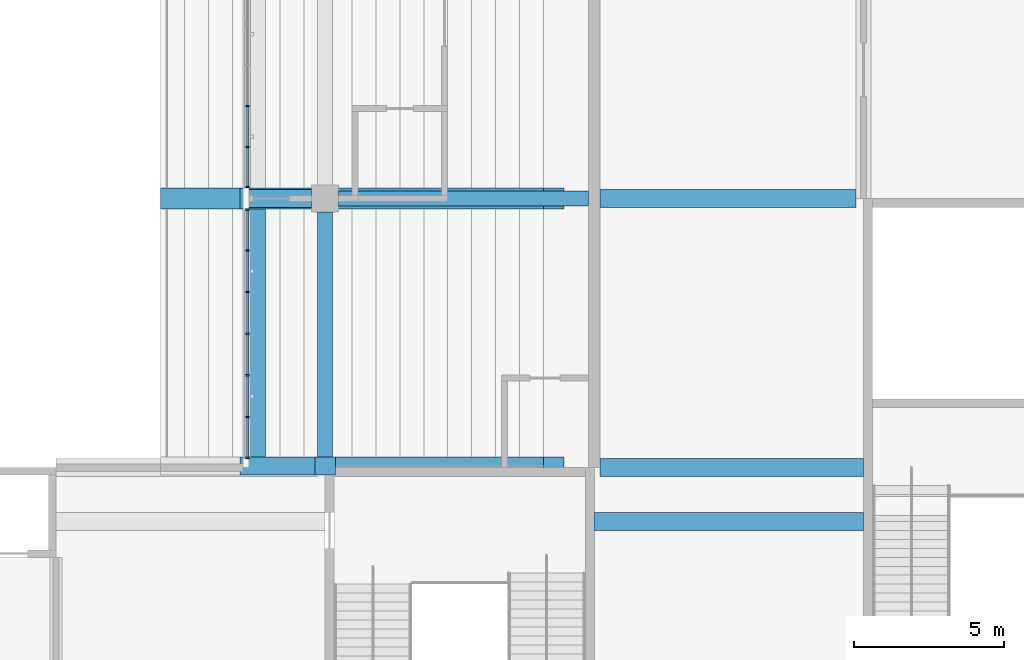
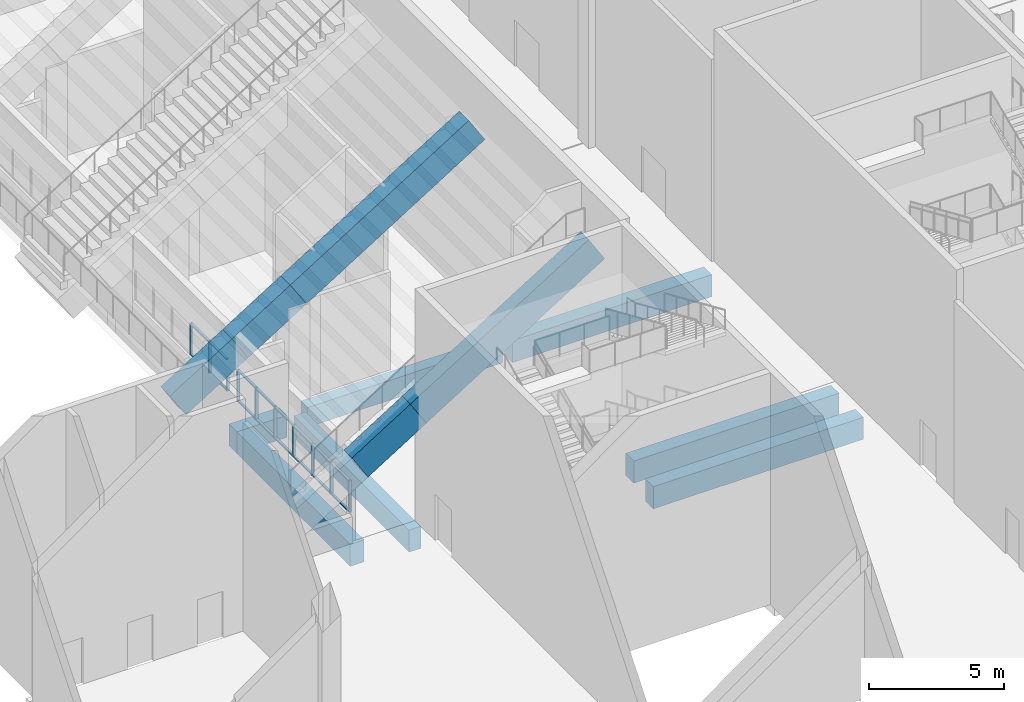
# One storey, part 47 of 182: 26 members, 12 beams, 2 elements without a shape of their own.
"""IFC4 building model written with IfcOpenShell, lengths in metres."""

import ifcopenshell
import ifcopenshell.guid

model = None  # the IFC model being written
_history = None  # IfcOwnerHistory: only IFC2X3 demands one
_inside = {}  # id of a spatial element -> (the spatial element, [elements in it])
_under = {}  # id of a project, library or spatial element -> (it, [spatial elements below it])
_declared = {}  # id of a project -> (the project, [libraries it declares])
_typed = {}  # id of a type object -> (the type object, [elements of that type])
_made_of = {}  # id of a material, layer set ... -> (it, [elements and type objects made of it])


def new_model(schema):
    """Start an empty IFC model of exactly this schema.

    Asked for "IFC4X3", IfcOpenShell would pick the latest addendum, in which some entities
    have other attributes; the version numbers below select the first issue.
    IFC2X3 requires an IfcOwnerHistory on every rooted entity: one is made here for all.
    """
    global model, _history
    if schema == "IFC4X3":
        model = ifcopenshell.file(schema_version=(4, 3, 0, 0))
    else:
        model = ifcopenshell.file(schema=schema)
    _inside.clear()
    _under.clear()
    _declared.clear()
    _typed.clear()
    _made_of.clear()
    _history = None
    if model.schema == "IFC2X3":
        org = make("IfcOrganization", Name="unknown")
        user = make(
            "IfcPersonAndOrganization",
            ThePerson=make("IfcPerson", FamilyName="unknown"),
            TheOrganization=org,
        )
        app = make(
            "IfcApplication",
            ApplicationDeveloper=org,
            Version="unknown",
            ApplicationFullName="unknown",
            ApplicationIdentifier="unknown",
        )
        _history = make(
            "IfcOwnerHistory",
            OwningUser=user,
            OwningApplication=app,
            ChangeAction="ADDED",
            CreationDate=0,
        )
    return model


def make(cls, **values):
    """One entity of the class cls with the attributes given. An attribute that is None is left unset."""
    return model.create_entity(
        cls, **{name: value for name, value in values.items() if value is not None}
    )


def rooted(cls, **values):
    """An entity with a GlobalId (a new one), such as an element, a storey or a relation."""
    return make(cls, GlobalId=ifcopenshell.guid.new(), OwnerHistory=_history, **values)


def si_unit(unit_type, name, prefix=None):
    """IfcSIUnit, for example si_unit("LENGTHUNIT", "METRE", prefix="MILLI")."""
    return make("IfcSIUnit", UnitType=unit_type, Prefix=prefix, Name=name)


def assignment(units):
    """IfcUnitAssignment: the units of a project."""
    return None if units is None else make("IfcUnitAssignment", Units=units)


def point(xyz):
    """IfcCartesianPoint."""
    return None if xyz is None else make("IfcCartesianPoint", Coordinates=xyz)


def direction(xyz):
    """IfcDirection."""
    return None if xyz is None else make("IfcDirection", DirectionRatios=xyz)


def frame(location, z_axis=None, x_axis=None):
    """IfcAxis2Placement3D, a coordinate frame: its origin and axes. An axis left out is left unset."""
    return make(
        "IfcAxis2Placement3D",
        Location=point(location),
        Axis=direction(z_axis),
        RefDirection=direction(x_axis),
    )


def frame_2d(location, x_axis=None):
    """IfcAxis2Placement2D, a coordinate frame in the plane: its origin and x axis."""
    return make(
        "IfcAxis2Placement2D", Location=point(location), RefDirection=direction(x_axis)
    )


def origin():
    """The frame at (0, 0, 0) with its axes left unset."""
    return frame((0.0, 0.0, 0.0))


def origin_2d():
    """The frame at (0, 0) in the plane with its x axis left unset."""
    return frame_2d((0.0, 0.0))


def place(relative_to, where):
    """IfcLocalPlacement: puts the frame where relative to a parent placement (None: the world)."""
    return make(
        "IfcLocalPlacement", PlacementRelTo=relative_to, RelativePlacement=where
    )


def context(
    kind, dimensions, precision=None, world=None, true_north=None, identifier=None
):
    """IfcGeometricRepresentationContext, for example the 3D "Model" context."""
    return make(
        "IfcGeometricRepresentationContext",
        ContextIdentifier=identifier,
        ContextType=kind,
        CoordinateSpaceDimension=dimensions,
        Precision=precision,
        WorldCoordinateSystem=world,
        TrueNorth=true_north,
    )


def subcontext(parent, identifier, kind, view, scale=None):
    """IfcGeometricRepresentationSubContext, for example "Body" below "Model"."""
    return make(
        "IfcGeometricRepresentationSubContext",
        ContextIdentifier=identifier,
        ContextType=kind,
        ParentContext=parent,
        TargetScale=scale,
        TargetView=view,
    )


def project(units=None, contexts=None):
    """IfcProject with its units and contexts."""
    return rooted(
        "IfcProject",
        Name="project",
        RepresentationContexts=contexts,
        UnitsInContext=assignment(units),
    )


def spatial(cls, under=None, at=None, **own):
    """A site, building, storey or space (cls), placed at a placement, below another one or the project."""
    s = rooted(cls, ObjectPlacement=at, **own)
    if under is not None:
        _under.setdefault(under.id(), (under, []))[1].append(s)
    return s


def profile(cls, at=None, kind="AREA", **sizes):
    """A parametric profile (cls). Its sizes go by their IFC names, for example OverallWidth=200.0."""
    return make(cls, ProfileType=kind, Position=at, **sizes)


def rectangle(**sizes):
    """IfcRectangleProfileDef."""
    return profile("IfcRectangleProfileDef", **sizes)


def extrude(swept, where, along, depth):
    """IfcExtrudedAreaSolid: the profile swept, set in the frame where, extruded along a direction by depth."""
    return make(
        "IfcExtrudedAreaSolid",
        SweptArea=swept,
        Position=where,
        ExtrudedDirection=direction(along),
        Depth=depth,
    )


def shape(context_of_items, identifier, shape_type, items):
    """IfcShapeRepresentation: the items that make up one representation, for example the "Body"."""
    return make(
        "IfcShapeRepresentation",
        ContextOfItems=context_of_items,
        RepresentationIdentifier=identifier,
        RepresentationType=shape_type,
        Items=items,
    )


def material(Name=None, Category=None):
    """IfcMaterial."""
    return make("IfcMaterial", Name=Name, Category=Category)


def material_profile(
    of_material, cross_section, Name=None, Category=None, Priority=None
):
    """IfcMaterialProfile: a cross section and its material."""
    return make(
        "IfcMaterialProfile",
        Name=Name,
        Material=of_material,
        Profile=cross_section,
        Priority=Priority,
        Category=Category,
    )


def profile_set(profiles, Name=None, composite=None):
    """IfcMaterialProfileSet."""
    return make(
        "IfcMaterialProfileSet",
        Name=Name,
        MaterialProfiles=profiles,
        CompositeProfile=composite,
    )


def made_of(thing, what):
    """Note that an element or type object is made of a material, layer set ...; save() writes the relation."""
    if what is not None:
        _made_of.setdefault(what.id(), (what, []))[1].append(thing)
    return thing


def type_object(cls, material=None, **own):
    """A type object (cls), such as IfcWallType, which elements share."""
    return made_of(rooted(cls, **own), material)


def element(
    cls,
    number,
    at=None,
    inside=None,
    cuts=None,
    type_object=None,
    material=None,
    context=None,
    identifier="Body",
    shape_type=None,
    held_by="IfcProductDefinitionShape",
    body=None,
    shapes=None,
    **own,
):
    """One element of the class cls, such as IfcWall. Its Tag is "e" and its number.

    at: its placement. inside: the storey or other place that contains it. cuts: it is an
    opening in that element (IfcRelVoidsElement). A single representation is given by context,
    identifier, shape_type and body (its items); several are given by shapes. held_by: the class
    of the entity that holds the representations. save() writes the other relations.
    """
    e = rooted(cls, Tag="e%d" % number, ObjectPlacement=at, **own)
    if body is not None:
        shapes = [shape(context, identifier, shape_type, body)]
    if shapes is not None:
        e.Representation = make(held_by, Representations=shapes)
    if inside is not None:
        _inside.setdefault(inside.id(), (inside, []))[1].append(e)
    if cuts is not None:
        rooted(
            "IfcRelVoidsElement", RelatingBuildingElement=cuts, RelatedOpeningElement=e
        )
    if type_object is not None:
        _typed.setdefault(type_object.id(), (type_object, []))[1].append(e)
    return made_of(e, material)


def aggregate(whole, parts):
    """IfcRelAggregates: a whole, such as a stair, and the parts it consists of."""
    return rooted("IfcRelAggregates", RelatingObject=whole, RelatedObjects=parts)


def save(model, path):
    """Write the relations noted so far, then the file.

    IfcRelAggregates (storeys below a building ...), IfcRelContainedInSpatialStructure (elements
    in a storey), IfcRelDefinesByType, IfcRelAssociatesMaterial and IfcRelDeclares: one each for
    every whole, place, type object, material and project.
    """
    for whole, parts in _under.values():
        aggregate(whole, parts)
    for where, things in _inside.values():
        rooted(
            "IfcRelContainedInSpatialStructure",
            RelatedElements=things,
            RelatingStructure=where,
        )
    for kind, things in _typed.values():
        rooted("IfcRelDefinesByType", RelatedObjects=things, RelatingType=kind)
    for what, things in _made_of.values():
        rooted("IfcRelAssociatesMaterial", RelatedObjects=things, RelatingMaterial=what)
    for by, libraries in _declared.values():
        rooted("IfcRelDeclares", RelatingContext=by, RelatedDefinitions=libraries)
    model.write(path)


model = new_model("IFC4")

# Units and contexts
model_context = context("Model", 3, precision=1e-05, world=origin(), true_north=direction((0.0, 1.0)))
body_context = subcontext(model_context, "Body", "Model", "MODEL_VIEW")
ifc_project = project(units=[si_unit("LENGTHUNIT", "METRE"), si_unit("AREAUNIT", "SQUARE_METRE"), si_unit("VOLUMEUNIT", "CUBIC_METRE"), si_unit("PLANEANGLEUNIT", "RADIAN"), si_unit("MASSUNIT", "GRAM", prefix="KILO")], contexts=[model_context])

# Site, building, storey
site_placement = place(None, origin())
site = spatial("IfcSite", under=ifc_project, at=site_placement, CompositionType="ELEMENT")
building_placement = place(site_placement, origin())
building = spatial("IfcBuilding", under=site, at=building_placement, Name="Silverbay Arena", CompositionType="ELEMENT")
storey_placement = place(building_placement, frame((0.0, 0.0, 11.5)))
storey = spatial("IfcBuildingStorey", under=building, at=storey_placement, Name="L02", CompositionType="ELEMENT", Elevation=11.5)

# Curtain wall, members
ifc_material_1 = material(Name="Fire-resisting glass", Category="glass")
curtain_wall_type_1 = type_object("IfcCurtainWallType", Name="Fire-resisting glazed screen EI 120 8350 x 1437", PredefinedType="NOTDEFINED", material=ifc_material_1)
curtain_wall_1_placement = place(storey_placement, origin())
curtain_wall_1 = element("IfcCurtainWall", 1, at=curtain_wall_1_placement, inside=storey, type_object=curtain_wall_type_1, Name="East suite front 1", PredefinedType="NOTDEFINED")
ifc_material_2 = material(Name="Aluminium", Category="aluminium")
ifc_material_profile_1 = material_profile(ifc_material_2, rectangle(XDim=0.1201171875, YDim=0.06005859375, at=origin_2d()), Name="Mullion 60 x 120")
ifc_profile_set_1 = profile_set([ifc_material_profile_1], Name="Aluminium")
member_type_1 = type_object("IfcMemberType", Name="Mullion 60 x 120", PredefinedType="MULLION", material=ifc_profile_set_1)
member_1_placement = place(storey_placement, frame((177.39990234375, 63.330078125, 1.10009765625), z_axis=(0.0, 0.0, 1.0), x_axis=(-1.0, 0.0, 0.0)))
member_1 = element("IfcMember", 2, at=member_1_placement, type_object=member_type_1, Name="CW20 mullion 1", PredefinedType="MULLION", context=body_context, shape_type="SweptSolid", body=[
    extrude(rectangle(XDim=0.1201171875, YDim=0.06005859375, at=origin_2d()), origin(), (0.0, 0.0, 1.0), 1.43701171875),
])
member_2_placement = place(storey_placement, frame((177.39990234375, 64.691650390625, 1.10009765625), z_axis=(0.0, 0.0, 1.0), x_axis=(-1.0, 0.0, 0.0)))
member_2 = element("IfcMember", 3, at=member_2_placement, type_object=member_type_1, Name="CW20 mullion 2", PredefinedType="MULLION", context=body_context, shape_type="SweptSolid", body=[
    extrude(rectangle(XDim=0.1201171875, YDim=0.06005859375, at=origin_2d()), origin(), (0.0, 0.0, 1.0), 1.43701171875),
])
member_3_placement = place(storey_placement, frame((177.39990234375, 66.083251953125, 1.10009765625), z_axis=(0.0, 0.0, 1.0), x_axis=(-1.0, 0.0, 0.0)))
member_3 = element("IfcMember", 4, at=member_3_placement, type_object=member_type_1, Name="CW20 mullion 3", PredefinedType="MULLION", context=body_context, shape_type="SweptSolid", body=[
    extrude(rectangle(XDim=0.1201171875, YDim=0.06005859375, at=origin_2d()), origin(), (0.0, 0.0, 1.0), 1.43701171875),
])
member_4_placement = place(storey_placement, frame((177.39990234375, 67.47509765625, 1.10009765625), z_axis=(0.0, 0.0, 1.0), x_axis=(-1.0, 0.0, 0.0)))
member_4 = element("IfcMember", 5, at=member_4_placement, type_object=member_type_1, Name="CW20 mullion 4", PredefinedType="MULLION", context=body_context, shape_type="SweptSolid", body=[
    extrude(rectangle(XDim=0.1201171875, YDim=0.06005859375, at=origin_2d()), origin(), (0.0, 0.0, 1.0), 1.43701171875),
])
member_5_placement = place(storey_placement, frame((177.39990234375, 68.86669921875, 1.10009765625), z_axis=(0.0, 0.0, 1.0), x_axis=(-1.0, 0.0, 0.0)))
member_5 = element("IfcMember", 6, at=member_5_placement, type_object=member_type_1, Name="CW20 mullion 5", PredefinedType="MULLION", context=body_context, shape_type="SweptSolid", body=[
    extrude(rectangle(XDim=0.1201171875, YDim=0.06005859375, at=origin_2d()), origin(), (0.0, 0.0, 1.0), 1.43701171875),
])
member_6_placement = place(storey_placement, frame((177.39990234375, 70.25830078125, 1.10009765625), z_axis=(0.0, 0.0, 1.0), x_axis=(-1.0, 0.0, 0.0)))
member_6 = element("IfcMember", 7, at=member_6_placement, type_object=member_type_1, Name="CW20 mullion 6", PredefinedType="MULLION", context=body_context, shape_type="SweptSolid", body=[
    extrude(rectangle(XDim=0.1201171875, YDim=0.06005859375, at=origin_2d()), origin(), (0.0, 0.0, 1.0), 1.43701171875),
])
member_7_placement = place(storey_placement, frame((177.39990234375, 71.6201171875, 1.10009765625), z_axis=(0.0, 0.0, 1.0), x_axis=(-1.0, 0.0, 0.0)))
member_7 = element("IfcMember", 8, at=member_7_placement, type_object=member_type_1, Name="CW20 mullion 7", PredefinedType="MULLION", context=body_context, shape_type="SweptSolid", body=[
    extrude(rectangle(XDim=0.1201171875, YDim=0.06005859375, at=origin_2d()), origin(), (0.0, 0.0, 1.0), 1.43701171875),
])

ifc_material_3 = material(Name="Fire-resisting glass", Category="glass")
curtain_wall_type_2 = type_object("IfcCurtainWallType", Name="Fire-resisting glazed screen EI 120 6850 x 1437", PredefinedType="NOTDEFINED", material=ifc_material_3)
curtain_wall_2_placement = place(storey_placement, origin())
curtain_wall_2 = element("IfcCurtainWall", 9, at=curtain_wall_2_placement, inside=storey, type_object=curtain_wall_type_2, Name="East suite front 2", PredefinedType="NOTDEFINED")
member_8_placement = place(storey_placement, frame((177.39990234375, 72.3798828125, 1.10009765625), z_axis=(0.0, 0.0, 1.0), x_axis=(-1.0, 0.0, 0.0)))
member_8 = element("IfcMember", 10, at=member_8_placement, type_object=member_type_1, Name="CW19 mullion 1", PredefinedType="MULLION", context=body_context, shape_type="SweptSolid", body=[
    extrude(rectangle(XDim=0.1201171875, YDim=0.06005859375, at=origin_2d()), origin(), (0.0, 0.0, 1.0), 1.43701171875),
])
member_9_placement = place(storey_placement, frame((177.39990234375, 73.719970703125, 1.10009765625), z_axis=(0.0, 0.0, 1.0), x_axis=(-1.0, 0.0, 0.0)))
member_9 = element("IfcMember", 11, at=member_9_placement, type_object=member_type_1, Name="CW19 mullion 2", PredefinedType="MULLION", context=body_context, shape_type="SweptSolid", body=[
    extrude(rectangle(XDim=0.1201171875, YDim=0.06005859375, at=origin_2d()), origin(), (0.0, 0.0, 1.0), 1.43701171875),
])
member_10_placement = place(storey_placement, frame((177.39990234375, 75.090087890625, 1.10009765625), z_axis=(0.0, 0.0, 1.0), x_axis=(-1.0, 0.0, 0.0)))
member_10 = element("IfcMember", 12, at=member_10_placement, type_object=member_type_1, Name="CW19 mullion 3", PredefinedType="MULLION", context=body_context, shape_type="SweptSolid", body=[
    extrude(rectangle(XDim=0.1201171875, YDim=0.06005859375, at=origin_2d()), origin(), (0.0, 0.0, 1.0), 1.43701171875),
])

# Beams
ifc_material_4 = material(Name="Concrete Grade C45", Category="concrete")
ifc_material_profile_2 = material_profile(ifc_material_4, rectangle(XDim=0.5, YDim=1.0, at=origin_2d()), Name="RC 500x1000")
ifc_profile_set_2 = profile_set([ifc_material_profile_2], Name="Concrete Grade C45")
beam_type_1 = type_object("IfcBeamType", Name="RC beam 500x1000", PredefinedType="BEAM", material=ifc_profile_set_2)
beam_1_placement = place(storey_placement, frame((180.0, 63.0, -0.85009765625), z_axis=(0.0, 1.0, 0.0), x_axis=(-1.0, 0.0, 0.0)))
element("IfcBeam", 13, at=beam_1_placement, inside=storey, type_object=beam_type_1, Name="Floor beam L02 310", PredefinedType="BEAM", context=body_context, shape_type="SweptSolid", body=[
    extrude(rectangle(XDim=0.5, YDim=1.0, at=origin_2d()), origin(), (0.0, 0.0, 1.0), 8.550048828125),
])
ifc_material_5 = material(Name="Concrete Grade C45", Category="concrete")
ifc_material_profile_3 = material_profile(ifc_material_5, rectangle(XDim=0.5, YDim=0.89990234375, at=origin_2d()), Name="RC 500x900")
ifc_profile_set_3 = profile_set([ifc_material_profile_3], Name="Concrete Grade C45")
beam_type_2 = type_object("IfcBeamType", Name="RC beam 500x900", PredefinedType="BEAM", material=ifc_profile_set_3)
beam_2_placement = place(storey_placement, frame((180.449951171875, 72.0, -0.800048828125), z_axis=(1.0, 0.0, 0.0), x_axis=(0.0, 1.0, 0.0)))
element("IfcBeam", 14, at=beam_2_placement, inside=storey, type_object=beam_type_2, Name="Floor beam L02 079", PredefinedType="BEAM", context=body_context, shape_type="SweptSolid", body=[
    extrude(rectangle(XDim=0.5, YDim=0.89990234375, at=origin_2d()), origin(), (0.0, 0.0, 1.0), 8.35009765625),
])
ifc_material_6 = material(Name="Concrete Grade C45", Category="concrete")
ifc_material_profile_4 = material_profile(ifc_material_6, rectangle(XDim=0.60009765625, YDim=1.0, at=origin_2d()), Name="RC 600x1000")
ifc_profile_set_4 = profile_set([ifc_material_profile_4], Name="Concrete Grade C45")
beam_type_3 = type_object("IfcBeamType", Name="RC beam 600x1000", PredefinedType="BEAM", material=ifc_profile_set_4)
beam_3_placement = place(storey_placement, frame((189.0, 61.199951171875, -0.85009765625), z_axis=(1.0, 0.0, 0.0), x_axis=(0.0, 1.0, 0.0)))
element("IfcBeam", 15, at=beam_3_placement, inside=storey, type_object=beam_type_3, Name="Floor beam L02 061", PredefinedType="BEAM", context=body_context, shape_type="SweptSolid", body=[
    extrude(rectangle(XDim=0.60009765625, YDim=1.0, at=origin_2d()), origin(), (0.0, 0.0, 1.0), 9.0),
])
beam_4_placement = place(storey_placement, frame((189.199951171875, 63.0, -0.85009765625), z_axis=(1.0, 0.0, 0.0), x_axis=(0.0, 1.0, 0.0)))
element("IfcBeam", 16, at=beam_4_placement, inside=storey, type_object=beam_type_3, Name="Floor beam L02 068", PredefinedType="BEAM", context=body_context, shape_type="SweptSolid", body=[
    extrude(rectangle(XDim=0.60009765625, YDim=1.0, at=origin_2d()), origin(), (0.0, 0.0, 1.0), 8.800048828125),
])
beam_5_placement = place(storey_placement, frame((177.39990234375, 72.0, -0.85009765625), z_axis=(1.0, 0.0, 0.0), x_axis=(0.0, 1.0, 0.0)))
element("IfcBeam", 17, at=beam_5_placement, inside=storey, type_object=beam_type_3, Name="Floor beam L02 078", PredefinedType="BEAM", context=body_context, shape_type="SweptSolid", body=[
    extrude(rectangle(XDim=0.60009765625, YDim=1.0, at=origin_2d()), origin(), (0.0, 0.0, 1.0), 2.150146484375),
])
beam_6_placement = place(storey_placement, frame((189.199951171875, 72.0, -0.85009765625), z_axis=(1.0, 0.0, 0.0), x_axis=(0.0, 1.0, 0.0)))
element("IfcBeam", 18, at=beam_6_placement, inside=storey, type_object=beam_type_3, Name="Floor beam L02 080", PredefinedType="BEAM", context=body_context, shape_type="SweptSolid", body=[
    extrude(rectangle(XDim=0.60009765625, YDim=1.0, at=origin_2d()), origin(), (0.0, 0.0, 1.0), 8.550048828125),
])
beam_7_placement = place(storey_placement, frame((177.699951171875, 63.300048828125, -0.85009765625), z_axis=(0.0, 1.0, 0.0), x_axis=(-1.0, 0.0, 0.0)))
element("IfcBeam", 19, at=beam_7_placement, inside=storey, type_object=beam_type_3, Name="Floor beam L02 383", PredefinedType="BEAM", context=body_context, shape_type="SweptSolid", body=[
    extrude(rectangle(XDim=0.60009765625, YDim=1.0, at=origin_2d()), origin(), (0.0, 0.0, 1.0), 8.39990234375),
])
ifc_material_7 = material(Name="Concrete Grade C45", Category="concrete")
ifc_material_profile_5 = material_profile(ifc_material_7, rectangle(XDim=0.60009765625, YDim=1.300048828125, at=origin_2d()), Name="RC 600x1300")
ifc_profile_set_5 = profile_set([ifc_material_profile_5], Name="Concrete Grade C45")
beam_type_4 = type_object("IfcBeamType", Name="RC cantilever raker 600x1300", PredefinedType="BEAM", material=ifc_profile_set_5)
beam_8_placement = place(storey_placement, frame((177.5, 63.050048828125, 3.428466796875), z_axis=(0.847998304005, 0.0, 0.529998940003), x_axis=(0.0, 1.0, 0.0)))
element("IfcBeam", 20, at=beam_8_placement, inside=storey, type_object=beam_type_4, Name="Raker East upper 63 mid", PredefinedType="BEAM", context=body_context, shape_type="SweptSolid", body=[
    extrude(rectangle(XDim=0.60009765625, YDim=1.300048828125, at=origin_2d()), origin(), (0.0, 0.0, 1.0), 2.947998046875),
])
ifc_material_8 = material(Name="Concrete Grade C45", Category="concrete")
ifc_material_profile_6 = material_profile(ifc_material_8, rectangle(XDim=0.699951171875, YDim=1.300048828125, at=origin_2d()), Name="RC 700x1300")
ifc_profile_set_6 = profile_set([ifc_material_profile_6], Name="Concrete Grade C45")
beam_type_5 = type_object("IfcBeamType", Name="RC cantilever raker 700x1300", PredefinedType="BEAM", material=ifc_profile_set_6)
beam_9_placement = place(storey_placement, frame((174.844482421875, 72.0, 1.768798828125), z_axis=(0.848002683915, 0.0, 0.529991932082), x_axis=(0.0, 1.0, 0.0)))
element("IfcBeam", 21, at=beam_9_placement, inside=storey, type_object=beam_type_5, Name="Raker East upper 72 tip", PredefinedType="BEAM", context=body_context, shape_type="SweptSolid", body=[
    extrude(rectangle(XDim=0.699951171875, YDim=1.300048828125, at=origin_2d()), origin(), (0.0, 0.0, 1.0), 3.131591796875),
])
beam_10_placement = place(storey_placement, frame((177.5, 72.0, 3.428466796875), z_axis=(0.847998304005, 0.0, 0.529998940003), x_axis=(0.0, 1.0, 0.0)))
element("IfcBeam", 22, at=beam_10_placement, inside=storey, type_object=beam_type_5, Name="Raker East upper 72 mid", PredefinedType="BEAM", context=body_context, shape_type="SweptSolid", body=[
    extrude(rectangle(XDim=0.699951171875, YDim=1.300048828125, at=origin_2d()), origin(), (0.0, 0.0, 1.0), 2.947998046875),
])
ifc_material_9 = material(Name="Concrete Grade C45", Category="concrete")
ifc_material_profile_7 = material_profile(ifc_material_9, rectangle(XDim=0.60009765625, YDim=1.300048828125, at=origin_2d()), Name="RC 600x1300")
ifc_profile_set_7 = profile_set([ifc_material_profile_7], Name="Concrete Grade C45")
beam_type_6 = type_object("IfcBeamType", Name="RC tier raker 600x1300", PredefinedType="BEAM", material=ifc_profile_set_7)
beam_11_placement = place(storey_placement, frame((180.0, 63.050048828125, 4.990966796875), z_axis=(0.847998304005, 0.0, 0.529998940003), x_axis=(0.0, 1.0, 0.0)))
element("IfcBeam", 23, at=beam_11_placement, inside=storey, type_object=beam_type_6, Name="Raker East upper 63 back", PredefinedType="BEAM", context=body_context, shape_type="SweptSolid", body=[
    extrude(rectangle(XDim=0.60009765625, YDim=1.300048828125, at=origin_2d()), origin(), (0.0, 0.0, 1.0), 9.014892578125),
])
ifc_material_10 = material(Name="Concrete Grade C45", Category="concrete")
ifc_material_profile_8 = material_profile(ifc_material_10, rectangle(XDim=0.699951171875, YDim=1.300048828125, at=origin_2d()), Name="RC 700x1300")
ifc_profile_set_8 = profile_set([ifc_material_profile_8], Name="Concrete Grade C45")
beam_type_7 = type_object("IfcBeamType", Name="RC tier raker 700x1300", PredefinedType="BEAM", material=ifc_profile_set_8)
beam_12_placement = place(storey_placement, frame((180.0, 72.0, 4.990966796875), z_axis=(0.847998304005, 0.0, 0.529998940003), x_axis=(0.0, 1.0, 0.0)))
element("IfcBeam", 24, at=beam_12_placement, inside=storey, type_object=beam_type_7, Name="Raker East upper 72 back", PredefinedType="BEAM", context=body_context, shape_type="SweptSolid", body=[
    extrude(rectangle(XDim=0.699951171875, YDim=1.300048828125, at=origin_2d()), origin(), (0.0, 0.0, 1.0), 9.014892578125),
])

# Member
ifc_material_11 = material(Name="Aluminium", Category="aluminium")
ifc_material_profile_9 = material_profile(ifc_material_11, rectangle(XDim=0.10009765625, YDim=0.050048828125, at=origin_2d()), Name="Transom 50 x 100")
ifc_profile_set_9 = profile_set([ifc_material_profile_9], Name="Aluminium")
member_type_2 = type_object("IfcMemberType", Name="Transom 50 x 100", PredefinedType="USERDEFINED", material=ifc_profile_set_9)
member_11_placement = place(storey_placement, frame((177.39990234375, 63.360107421875, 1.125), z_axis=(0.0, 1.0, 0.0), x_axis=(-1.0, 0.0, 0.0)))
member_11 = element("IfcMember", 25, at=member_11_placement, type_object=member_type_2, Name="CW20 transom 1.1", ObjectType="TRANSOM", PredefinedType="USERDEFINED", context=body_context, shape_type="SweptSolid", body=[
    extrude(rectangle(XDim=0.10009765625, YDim=0.050048828125, at=origin_2d()), origin(), (0.0, 0.0, 1.0), 1.301513671875),
])

member_12_placement = place(storey_placement, frame((177.39990234375, 63.360107421875, 2.511962890625), z_axis=(0.0, 1.0, 0.0), x_axis=(-1.0, 0.0, 0.0)))
member_12 = element("IfcMember", 26, at=member_12_placement, type_object=member_type_2, Name="CW20 transom 1.2", ObjectType="TRANSOM", PredefinedType="USERDEFINED", context=body_context, shape_type="SweptSolid", body=[
    extrude(rectangle(XDim=0.10009765625, YDim=0.050048828125, at=origin_2d()), origin(), (0.0, 0.0, 1.0), 1.301513671875),
])

member_13_placement = place(storey_placement, frame((177.39990234375, 64.7216796875, 1.125), z_axis=(0.0, 1.0, 0.0), x_axis=(-1.0, 0.0, 0.0)))
member_13 = element("IfcMember", 27, at=member_13_placement, type_object=member_type_2, Name="CW20 transom 2.1", ObjectType="TRANSOM", PredefinedType="USERDEFINED", context=body_context, shape_type="SweptSolid", body=[
    extrude(rectangle(XDim=0.10009765625, YDim=0.050048828125, at=origin_2d()), origin(), (0.0, 0.0, 1.0), 1.33154296875),
])

member_14_placement = place(storey_placement, frame((177.39990234375, 64.7216796875, 2.511962890625), z_axis=(0.0, 1.0, 0.0), x_axis=(-1.0, 0.0, 0.0)))
member_14 = element("IfcMember", 28, at=member_14_placement, type_object=member_type_2, Name="CW20 transom 2.2", ObjectType="TRANSOM", PredefinedType="USERDEFINED", context=body_context, shape_type="SweptSolid", body=[
    extrude(rectangle(XDim=0.10009765625, YDim=0.050048828125, at=origin_2d()), origin(), (0.0, 0.0, 1.0), 1.33154296875),
])

member_15_placement = place(storey_placement, frame((177.39990234375, 66.11328125, 1.125), z_axis=(0.0, 1.0, 0.0), x_axis=(-1.0, 0.0, 0.0)))
member_15 = element("IfcMember", 29, at=member_15_placement, type_object=member_type_2, Name="CW20 transom 3.1", ObjectType="TRANSOM", PredefinedType="USERDEFINED", context=body_context, shape_type="SweptSolid", body=[
    extrude(rectangle(XDim=0.10009765625, YDim=0.050048828125, at=origin_2d()), origin(), (0.0, 0.0, 1.0), 1.331787109375),
])

member_16_placement = place(storey_placement, frame((177.39990234375, 66.11328125, 2.511962890625), z_axis=(0.0, 1.0, 0.0), x_axis=(-1.0, 0.0, 0.0)))
member_16 = element("IfcMember", 30, at=member_16_placement, type_object=member_type_2, Name="CW20 transom 3.2", ObjectType="TRANSOM", PredefinedType="USERDEFINED", context=body_context, shape_type="SweptSolid", body=[
    extrude(rectangle(XDim=0.10009765625, YDim=0.050048828125, at=origin_2d()), origin(), (0.0, 0.0, 1.0), 1.331787109375),
])

member_17_placement = place(storey_placement, frame((177.39990234375, 67.5048828125, 1.125), z_axis=(0.0, 1.0, 0.0), x_axis=(-1.0, 0.0, 0.0)))
member_17 = element("IfcMember", 31, at=member_17_placement, type_object=member_type_2, Name="CW20 transom 4.1", ObjectType="TRANSOM", PredefinedType="USERDEFINED", context=body_context, shape_type="SweptSolid", body=[
    extrude(rectangle(XDim=0.10009765625, YDim=0.050048828125, at=origin_2d()), origin(), (0.0, 0.0, 1.0), 1.331787109375),
])

member_18_placement = place(storey_placement, frame((177.39990234375, 67.5048828125, 2.511962890625), z_axis=(0.0, 1.0, 0.0), x_axis=(-1.0, 0.0, 0.0)))
member_18 = element("IfcMember", 32, at=member_18_placement, type_object=member_type_2, Name="CW20 transom 4.2", ObjectType="TRANSOM", PredefinedType="USERDEFINED", context=body_context, shape_type="SweptSolid", body=[
    extrude(rectangle(XDim=0.10009765625, YDim=0.050048828125, at=origin_2d()), origin(), (0.0, 0.0, 1.0), 1.331787109375),
])

member_19_placement = place(storey_placement, frame((177.39990234375, 68.896728515625, 1.125), z_axis=(0.0, 1.0, 0.0), x_axis=(-1.0, 0.0, 0.0)))
member_19 = element("IfcMember", 33, at=member_19_placement, type_object=member_type_2, Name="CW20 transom 5.1", ObjectType="TRANSOM", PredefinedType="USERDEFINED", context=body_context, shape_type="SweptSolid", body=[
    extrude(rectangle(XDim=0.10009765625, YDim=0.050048828125, at=origin_2d()), origin(), (0.0, 0.0, 1.0), 1.33154296875),
])

member_20_placement = place(storey_placement, frame((177.39990234375, 68.896728515625, 2.511962890625), z_axis=(0.0, 1.0, 0.0), x_axis=(-1.0, 0.0, 0.0)))
member_20 = element("IfcMember", 34, at=member_20_placement, type_object=member_type_2, Name="CW20 transom 5.2", ObjectType="TRANSOM", PredefinedType="USERDEFINED", context=body_context, shape_type="SweptSolid", body=[
    extrude(rectangle(XDim=0.10009765625, YDim=0.050048828125, at=origin_2d()), origin(), (0.0, 0.0, 1.0), 1.33154296875),
])

member_21_placement = place(storey_placement, frame((177.39990234375, 70.288330078125, 1.125), z_axis=(0.0, 1.0, 0.0), x_axis=(-1.0, 0.0, 0.0)))
member_21 = element("IfcMember", 35, at=member_21_placement, type_object=member_type_2, Name="CW20 transom 6.1", ObjectType="TRANSOM", PredefinedType="USERDEFINED", context=body_context, shape_type="SweptSolid", body=[
    extrude(rectangle(XDim=0.10009765625, YDim=0.050048828125, at=origin_2d()), origin(), (0.0, 0.0, 1.0), 1.3017578125),
])

member_22_placement = place(storey_placement, frame((177.39990234375, 70.288330078125, 2.511962890625), z_axis=(0.0, 1.0, 0.0), x_axis=(-1.0, 0.0, 0.0)))
member_22 = element("IfcMember", 36, at=member_22_placement, type_object=member_type_2, Name="CW20 transom 6.2", ObjectType="TRANSOM", PredefinedType="USERDEFINED", context=body_context, shape_type="SweptSolid", body=[
    extrude(rectangle(XDim=0.10009765625, YDim=0.050048828125, at=origin_2d()), origin(), (0.0, 0.0, 1.0), 1.3017578125),
])

aggregate(curtain_wall_1, [member_1, member_2, member_3, member_4, member_5, member_6, member_7, member_11, member_12, member_13, member_14, member_15, member_16, member_17, member_18, member_19, member_20, member_21, member_22])

member_23_placement = place(storey_placement, frame((177.39990234375, 72.409912109375, 1.125), z_axis=(0.0, 1.0, 0.0), x_axis=(-1.0, 0.0, 0.0)))
member_23 = element("IfcMember", 37, at=member_23_placement, type_object=member_type_2, Name="CW19 transom 1.1", ObjectType="TRANSOM", PredefinedType="USERDEFINED", context=body_context, shape_type="SweptSolid", body=[
    extrude(rectangle(XDim=0.10009765625, YDim=0.050048828125, at=origin_2d()), origin(), (0.0, 0.0, 1.0), 1.280029296875),
])

member_24_placement = place(storey_placement, frame((177.39990234375, 72.409912109375, 2.511962890625), z_axis=(0.0, 1.0, 0.0), x_axis=(-1.0, 0.0, 0.0)))
member_24 = element("IfcMember", 38, at=member_24_placement, type_object=member_type_2, Name="CW19 transom 1.2", ObjectType="TRANSOM", PredefinedType="USERDEFINED", context=body_context, shape_type="SweptSolid", body=[
    extrude(rectangle(XDim=0.10009765625, YDim=0.050048828125, at=origin_2d()), origin(), (0.0, 0.0, 1.0), 1.280029296875),
])

member_25_placement = place(storey_placement, frame((177.39990234375, 73.75, 1.125), z_axis=(0.0, 1.0, 0.0), x_axis=(-1.0, 0.0, 0.0)))
member_25 = element("IfcMember", 39, at=member_25_placement, type_object=member_type_2, Name="CW19 transom 2.1", ObjectType="TRANSOM", PredefinedType="USERDEFINED", context=body_context, shape_type="SweptSolid", body=[
    extrude(rectangle(XDim=0.10009765625, YDim=0.050048828125, at=origin_2d()), origin(), (0.0, 0.0, 1.0), 1.31005859375),
])

member_26_placement = place(storey_placement, frame((177.39990234375, 73.75, 2.511962890625), z_axis=(0.0, 1.0, 0.0), x_axis=(-1.0, 0.0, 0.0)))
member_26 = element("IfcMember", 40, at=member_26_placement, type_object=member_type_2, Name="CW19 transom 2.2", ObjectType="TRANSOM", PredefinedType="USERDEFINED", context=body_context, shape_type="SweptSolid", body=[
    extrude(rectangle(XDim=0.10009765625, YDim=0.050048828125, at=origin_2d()), origin(), (0.0, 0.0, 1.0), 1.31005859375),
])

aggregate(curtain_wall_2, [member_8, member_9, member_10, member_23, member_24, member_25, member_26])

save(model, "model.ifc")
